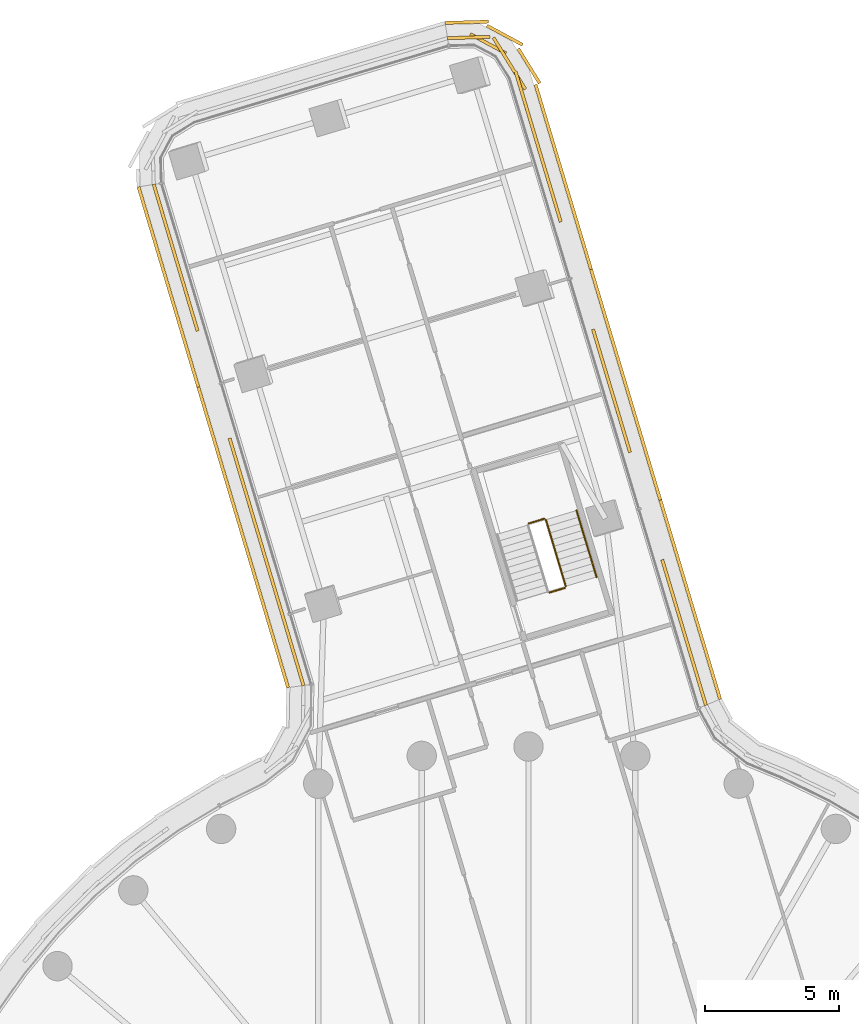
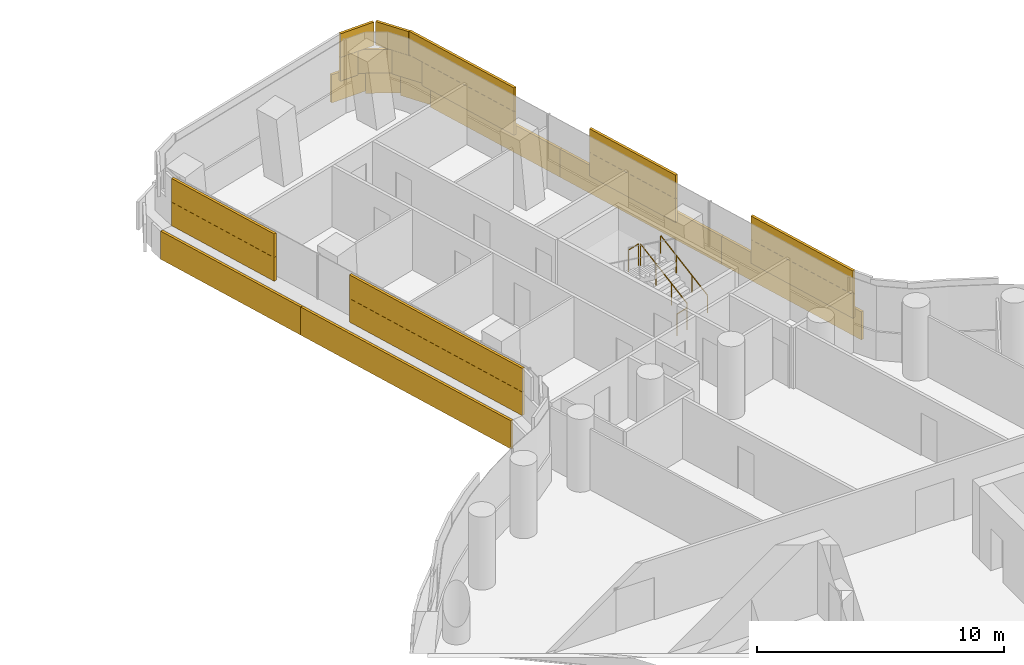
# One storey, part 31 of 32: 5 coverings, 4 railings.
"""IFC4 building model written with IfcOpenShell, lengths in metres."""

from ifc_helpers import new_model, si_unit, direction, frame, origin, origin_2d, place, context, subcontext, project, spatial, rectangle, circle, extrude, material, layer, layer_set, type_object, element, save


model = new_model("IFC4")

# Units and contexts
model_context = context("Model", 3, precision=1e-05, world=origin(), true_north=direction((0.0, 1.0)))
body_context = subcontext(model_context, "Body", "Model", "MODEL_VIEW")
ifc_project = project(units=[si_unit("LENGTHUNIT", "METRE"), si_unit("AREAUNIT", "SQUARE_METRE"), si_unit("VOLUMEUNIT", "CUBIC_METRE"), si_unit("PLANEANGLEUNIT", "RADIAN"), si_unit("MASSUNIT", "GRAM", prefix="KILO")], contexts=[model_context])

# Site, building, storey
site_placement = place(None, origin())
site = spatial("IfcSite", under=ifc_project, at=site_placement, CompositionType="ELEMENT")
building_placement = place(site_placement, origin())
building = spatial("IfcBuilding", under=site, at=building_placement, Name="Tamarind Cross Interchange Tower", CompositionType="ELEMENT")
storey_placement = place(building_placement, frame((0.0, 0.0, 94.75)))
storey = spatial("IfcBuildingStorey", under=building, at=storey_placement, Name="L22", CompositionType="ELEMENT", Elevation=94.75)

# Railings
ifc_material_1 = material(Name="Stair guard")
railing_type_1 = type_object("IfcRailingType", Name="Stair guard", PredefinedType="GUARDRAIL", material=ifc_material_1)
railing_1_placement = place(storey_placement, frame((1.396240234375, 28.997314453125, 0.17041015625)))
element("IfcRailing", 1, at=railing_1_placement, inside=storey, type_object=railing_type_1, Name="L22 ST4 stair guard 1", PredefinedType="GUARDRAIL", context=body_context, shape_type="SweptSolid", body=[
    extrude(circle(Radius=0.02392578125, at=origin_2d()), frame((0.0, 0.0, 1.076171875), z_axis=(-0.240525621842, 0.800966811225, 0.5482696349), x_axis=(-0.957748720779, -0.287606307034, 0.0)), (0.0, 0.0, 1.0), 3.109130859375),
    extrude(circle(Radius=0.02099609375, at=origin_2d()), origin(), (0.0, 0.0, 1.0), 1.052001953125),
    extrude(circle(Radius=0.02099609375, at=origin_2d()), frame((-0.249267578125, 0.830078125, 0.568115234375)), (0.0, 0.0, 1.0), 1.052001953125),
    extrude(circle(Radius=0.02099609375, at=origin_2d()), frame((-0.49853515625, 1.66015625, 1.136474609375)), (0.0, 0.0, 1.0), 1.052001953125),
    extrude(circle(Radius=0.02099609375, at=origin_2d()), frame((-0.747802734375, 2.490234375, 1.70458984375)), (0.0, 0.0, 1.0), 1.052001953125),
])
for number, where, name in (
    (2, (0.586181640625, 31.52099609375, 1.875), "L22 ST4 stair guard 2"),
    (3, (1.36279296875, 28.93505859375, 0.0), "L22 ST4 stair guard 4"),
):
    element("IfcRailing", number, at=place(storey_placement, frame(where)), inside=storey, type_object=railing_type_1, Name=name, PredefinedType="GUARDRAIL", context=body_context, shape_type="SweptSolid", body=[
        extrude(circle(Radius=0.02392578125, at=origin_2d()), frame((0.0, 0.0, 1.076171875), z_axis=(-0.957736655923, -0.287646480772, 0.0), x_axis=(0.287646480772, -0.957736655923, 0.0)), (0.0, 0.0, 1.0), 0.60009765625),
        extrude(circle(Radius=0.02099609375, at=origin_2d()), origin(), (0.0, 0.0, 1.0), 1.052001953125),
        extrude(circle(Radius=0.02099609375, at=origin_2d()), frame((-0.57470703125, -0.172607421875, 0.0)), (0.0, 0.0, 1.0), 1.052001953125),
    ])
ifc_material_2 = material(Name="Stair handrail")
railing_type_2 = type_object("IfcRailingType", Name="Stair handrail", PredefinedType="HANDRAIL", material=ifc_material_2)
railing_2_placement = place(storey_placement, frame((2.545654296875, 29.342529296875, 0.17041015625)))
element("IfcRailing", 4, at=railing_2_placement, inside=storey, type_object=railing_type_2, Name="L22 ST4 stair handrail 1", PredefinedType="HANDRAIL", context=body_context, shape_type="SweptSolid", body=[
    extrude(circle(Radius=0.02392578125, at=origin_2d()), frame((0.0, 0.0, 0.8759765625), z_axis=(-0.240614736033, 0.800923528983, 0.548293762071), x_axis=(-0.957715080866, -0.287718306478, 0.0)), (0.0, 0.0, 1.0), 3.10888671875),
    extrude(circle(Radius=0.02099609375, at=origin_2d()), origin(), (0.0, 0.0, 1.0), 0.851806640625),
    extrude(circle(Radius=0.02099609375, at=origin_2d()), frame((-0.249267578125, 0.830078125, 0.568115234375)), (0.0, 0.0, 1.0), 0.851806640625),
    extrude(circle(Radius=0.02099609375, at=origin_2d()), frame((-0.498779296875, 1.659912109375, 1.136474609375)), (0.0, 0.0, 1.0), 0.851806640625),
    extrude(circle(Radius=0.02099609375, at=origin_2d()), frame((-0.748046875, 2.489990234375, 1.70458984375)), (0.0, 0.0, 1.0), 0.851806640625),
])

# Coverings
ifc_material_3 = material(Name="Terracotta", Category="masonry")
ifc_layer = layer(ifc_material_3, 0.1201171875)
ifc_layer_set = layer_set([ifc_layer], Name="Terracotta")
covering_type = type_object("IfcCoveringType", Name="Terracotta baguette screen unit", PredefinedType="MOLDING", material=ifc_layer_set)
covering_1_placement = place(storey_placement, origin())
element("IfcCovering", 5, at=covering_1_placement, inside=storey, type_object=covering_type, Name="SCR-L22-01-00", PredefinedType="MOLDING", context=body_context, shape_type="SweptSolid", body=[
    extrude(rectangle(XDim=1.510009765625, YDim=0.1201171875, at=origin_2d()), frame((-13.8046875, 43.3125, 1.404052734375), z_axis=(0.0, 0.0, 1.0), x_axis=(0.286304452373, -0.958138695884, 0.0)), (0.0, 0.0, 1.0), 1.1669921875),
    extrude(rectangle(XDim=1.52001953125, YDim=0.1201171875, at=origin_2d()), frame((-13.375244140625, 41.875244140625, 1.404052734375), z_axis=(0.0, 0.0, 1.0), x_axis=(0.286304452373, -0.958138695884, 0.0)), (0.0, 0.0, 1.0), 1.1669921875),
    extrude(rectangle(XDim=1.52001953125, YDim=0.1201171875, at=origin_2d()), frame((-12.94580078125, 40.43798828125, 1.404052734375), z_axis=(0.0, 0.0, 1.0), x_axis=(0.286304452373, -0.958138695884, 0.0)), (0.0, 0.0, 1.0), 1.1669921875),
    extrude(rectangle(XDim=1.229736328125, YDim=0.1201171875, at=origin_2d()), frame((-12.556640625, 39.135009765625, 1.404052734375), z_axis=(0.0, 0.0, 1.0), x_axis=(0.286304452373, -0.958138695884, 0.0)), (0.0, 0.0, 1.0), 1.1669921875),
    extrude(rectangle(XDim=0.760009765625, YDim=0.1201171875, at=origin_2d()), frame((-13.912109375, 43.671630859375, 2.5791015625), z_axis=(0.0, 0.0, 1.0), x_axis=(0.286304452373, -0.958138695884, 0.0)), (0.0, 0.0, 1.0), 1.1669921875),
    extrude(rectangle(XDim=1.52001953125, YDim=0.1201171875, at=origin_2d()), frame((-13.590087890625, 42.59375, 2.5791015625), z_axis=(0.0, 0.0, 1.0), x_axis=(0.286304452373, -0.958138695884, 0.0)), (0.0, 0.0, 1.0), 1.1669921875),
    extrude(rectangle(XDim=1.52001953125, YDim=0.1201171875, at=origin_2d()), frame((-13.16064453125, 41.15673828125, 2.5791015625), z_axis=(0.0, 0.0, 1.0), x_axis=(0.286304452373, -0.958138695884, 0.0)), (0.0, 0.0, 1.0), 1.1669921875),
    extrude(rectangle(XDim=1.52001953125, YDim=0.1201171875, at=origin_2d()), frame((-12.731201171875, 39.719482421875, 2.5791015625), z_axis=(0.0, 0.0, 1.0), x_axis=(0.286304452373, -0.958138695884, 0.0)), (0.0, 0.0, 1.0), 1.1669921875),
    extrude(rectangle(XDim=0.479736328125, YDim=0.1201171875, at=origin_2d()), frame((-12.44921875, 38.775634765625, 2.5791015625), z_axis=(0.0, 0.0, 1.0), x_axis=(0.286304452373, -0.958138695884, 0.0)), (0.0, 0.0, 1.0), 1.1669921875),
    extrude(rectangle(XDim=1.510009765625, YDim=0.1201171875, at=origin_2d()), frame((-14.374755859375, 43.21533203125, 0.00390625), z_axis=(0.0, 0.0, 1.0), x_axis=(0.286304452373, -0.958138695884, 0.0)), (0.0, 0.0, 1.0), 1.39208984375),
    extrude(rectangle(XDim=1.52001953125, YDim=0.1201171875, at=origin_2d()), frame((-13.94677734375, 41.782958984375, 0.00390625), z_axis=(0.0, 0.0, 1.0), x_axis=(0.286304452373, -0.958138695884, 0.0)), (0.0, 0.0, 1.0), 1.39208984375),
    extrude(rectangle(XDim=1.52001953125, YDim=0.1201171875, at=origin_2d()), frame((-13.517333984375, 40.345703125, 0.00390625), z_axis=(0.0, 0.0, 1.0), x_axis=(0.286304452373, -0.958138695884, 0.0)), (0.0, 0.0, 1.0), 1.39208984375),
    extrude(rectangle(XDim=1.52001953125, YDim=0.1201171875, at=origin_2d()), frame((-13.087890625, 38.908447265625, 0.00390625), z_axis=(0.0, 0.0, 1.0), x_axis=(0.286304452373, -0.958138695884, 0.0)), (0.0, 0.0, 1.0), 1.39208984375),
    extrude(rectangle(XDim=1.52001953125, YDim=0.1201171875, at=origin_2d()), frame((-12.658447265625, 37.47119140625, 0.00390625), z_axis=(0.0, 0.0, 1.0), x_axis=(0.286304452373, -0.958138695884, 0.0)), (0.0, 0.0, 1.0), 1.39208984375),
    extrude(rectangle(XDim=0.32470703125, YDim=0.1201171875, at=origin_2d()), frame((-12.400146484375, 36.606689453125, 0.00390625), z_axis=(0.0, 0.0, 1.0), x_axis=(0.286304452373, -0.958138695884, 0.0)), (0.0, 0.0, 1.0), 1.39208984375),
])
covering_2_placement = place(storey_placement, origin())
element("IfcCovering", 6, at=covering_2_placement, inside=storey, type_object=covering_type, Name="SCR-L22-01-01", PredefinedType="MOLDING", context=body_context, shape_type="SweptSolid", body=[
    extrude(rectangle(XDim=0.59033203125, YDim=0.1201171875, at=origin_2d()), frame((-11.096435546875, 34.24853515625, 1.404052734375), z_axis=(0.0, 0.0, 1.0), x_axis=(0.286304452373, -0.958138695884, 0.0)), (0.0, 0.0, 1.0), 1.1669921875),
    extrude(rectangle(XDim=1.52001953125, YDim=0.1201171875, at=origin_2d()), frame((-10.798583984375, 33.251953125, 1.404052734375), z_axis=(0.0, 0.0, 1.0), x_axis=(0.286304452373, -0.958138695884, 0.0)), (0.0, 0.0, 1.0), 1.1669921875),
    extrude(rectangle(XDim=1.52001953125, YDim=0.1201171875, at=origin_2d()), frame((-10.369140625, 31.814697265625, 1.404052734375), z_axis=(0.0, 0.0, 1.0), x_axis=(0.286304452373, -0.958138695884, 0.0)), (0.0, 0.0, 1.0), 1.1669921875),
    extrude(rectangle(XDim=1.52001953125, YDim=0.1201171875, at=origin_2d()), frame((-9.939697265625, 30.37744140625, 1.404052734375), z_axis=(0.0, 0.0, 1.0), x_axis=(0.286304452373, -0.958138695884, 0.0)), (0.0, 0.0, 1.0), 1.1669921875),
    extrude(rectangle(XDim=1.52001953125, YDim=0.1201171875, at=origin_2d()), frame((-9.51025390625, 28.9404296875, 1.404052734375), z_axis=(0.0, 0.0, 1.0), x_axis=(0.286304452373, -0.958138695884, 0.0)), (0.0, 0.0, 1.0), 1.1669921875),
    extrude(rectangle(XDim=1.52001953125, YDim=0.1201171875, at=origin_2d()), frame((-9.080810546875, 27.503173828125, 1.404052734375), z_axis=(0.0, 0.0, 1.0), x_axis=(0.286304452373, -0.958138695884, 0.0)), (0.0, 0.0, 1.0), 1.1669921875),
    extrude(rectangle(XDim=1.52001953125, YDim=0.1201171875, at=origin_2d()), frame((-8.6513671875, 26.06591796875, 1.404052734375), z_axis=(0.0, 0.0, 1.0), x_axis=(0.286304452373, -0.958138695884, 0.0)), (0.0, 0.0, 1.0), 1.1669921875),
    extrude(rectangle(XDim=0.0751953125, YDim=0.1201171875, at=origin_2d()), frame((-8.42724609375, 25.316162109375, 1.404052734375), z_axis=(0.0, 0.0, 1.0), x_axis=(0.286304452373, -0.958138695884, 0.0)), (0.0, 0.0, 1.0), 1.1669921875),
    extrude(rectangle(XDim=1.34033203125, YDim=0.1201171875, at=origin_2d()), frame((-10.989013671875, 33.88916015625, 2.5791015625), z_axis=(0.0, 0.0, 1.0), x_axis=(0.286304452373, -0.958138695884, 0.0)), (0.0, 0.0, 1.0), 1.1669921875),
    extrude(rectangle(XDim=1.52001953125, YDim=0.1201171875, at=origin_2d()), frame((-10.583740234375, 32.533447265625, 2.5791015625), z_axis=(0.0, 0.0, 1.0), x_axis=(0.286304452373, -0.958138695884, 0.0)), (0.0, 0.0, 1.0), 1.1669921875),
    extrude(rectangle(XDim=1.52001953125, YDim=0.1201171875, at=origin_2d()), frame((-10.154296875, 31.09619140625, 2.5791015625), z_axis=(0.0, 0.0, 1.0), x_axis=(0.286304452373, -0.958138695884, 0.0)), (0.0, 0.0, 1.0), 1.1669921875),
    extrude(rectangle(XDim=1.52001953125, YDim=0.1201171875, at=origin_2d()), frame((-9.724853515625, 29.658935546875, 2.5791015625), z_axis=(0.0, 0.0, 1.0), x_axis=(0.286304452373, -0.958138695884, 0.0)), (0.0, 0.0, 1.0), 1.1669921875),
    extrude(rectangle(XDim=1.52001953125, YDim=0.1201171875, at=origin_2d()), frame((-9.29541015625, 28.2216796875, 2.5791015625), z_axis=(0.0, 0.0, 1.0), x_axis=(0.286304452373, -0.958138695884, 0.0)), (0.0, 0.0, 1.0), 1.1669921875),
    extrude(rectangle(XDim=1.52001953125, YDim=0.1201171875, at=origin_2d()), frame((-8.865966796875, 26.784423828125, 2.5791015625), z_axis=(0.0, 0.0, 1.0), x_axis=(0.286304452373, -0.958138695884, 0.0)), (0.0, 0.0, 1.0), 1.1669921875),
    extrude(rectangle(XDim=0.8251953125, YDim=0.1201171875, at=origin_2d()), frame((-8.53466796875, 25.675537109375, 2.5791015625), z_axis=(0.0, 0.0, 1.0), x_axis=(0.286304452373, -0.958138695884, 0.0)), (0.0, 0.0, 1.0), 1.1669921875),
    extrude(rectangle(XDim=1.1953125, YDim=0.1201171875, at=origin_2d()), frame((-12.1826171875, 35.878662109375, 0.00390625), z_axis=(0.0, 0.0, 1.0), x_axis=(0.286304452373, -0.958138695884, 0.0)), (0.0, 0.0, 1.0), 1.39208984375),
    extrude(rectangle(XDim=1.52001953125, YDim=0.1201171875, at=origin_2d()), frame((-11.799560546875, 34.596923828125, 0.00390625), z_axis=(0.0, 0.0, 1.0), x_axis=(0.286304452373, -0.958138695884, 0.0)), (0.0, 0.0, 1.0), 1.39208984375),
    extrude(rectangle(XDim=1.52001953125, YDim=0.1201171875, at=origin_2d()), frame((-11.3701171875, 33.15966796875, 0.00390625), z_axis=(0.0, 0.0, 1.0), x_axis=(0.286304452373, -0.958138695884, 0.0)), (0.0, 0.0, 1.0), 1.39208984375),
    extrude(rectangle(XDim=1.52001953125, YDim=0.1201171875, at=origin_2d()), frame((-10.940673828125, 31.722412109375, 0.00390625), z_axis=(0.0, 0.0, 1.0), x_axis=(0.286304452373, -0.958138695884, 0.0)), (0.0, 0.0, 1.0), 1.39208984375),
    extrude(rectangle(XDim=1.52001953125, YDim=0.1201171875, at=origin_2d()), frame((-10.51123046875, 30.28515625, 0.00390625), z_axis=(0.0, 0.0, 1.0), x_axis=(0.286304452373, -0.958138695884, 0.0)), (0.0, 0.0, 1.0), 1.39208984375),
    extrude(rectangle(XDim=1.52001953125, YDim=0.1201171875, at=origin_2d()), frame((-10.081787109375, 28.84814453125, 0.00390625), z_axis=(0.0, 0.0, 1.0), x_axis=(0.286304452373, -0.958138695884, 0.0)), (0.0, 0.0, 1.0), 1.39208984375),
    extrude(rectangle(XDim=1.52001953125, YDim=0.1201171875, at=origin_2d()), frame((-9.65234375, 27.410888671875, 0.00390625), z_axis=(0.0, 0.0, 1.0), x_axis=(0.286304452373, -0.958138695884, 0.0)), (0.0, 0.0, 1.0), 1.39208984375),
    extrude(rectangle(XDim=1.52001953125, YDim=0.1201171875, at=origin_2d()), frame((-9.222900390625, 25.9736328125, 0.00390625), z_axis=(0.0, 0.0, 1.0), x_axis=(0.286304452373, -0.958138695884, 0.0)), (0.0, 0.0, 1.0), 1.39208984375),
    extrude(rectangle(XDim=0.06201171875, YDim=0.1201171875, at=origin_2d()), frame((-9.001953125, 25.23486328125, 0.00390625), z_axis=(0.0, 0.0, 1.0), x_axis=(0.286304452373, -0.958138695884, 0.0)), (0.0, 0.0, 1.0), 1.39208984375),
])
covering_3_placement = place(storey_placement, origin())
element("IfcCovering", 7, at=covering_3_placement, inside=storey, type_object=covering_type, Name="SCR-L22-15-00", PredefinedType="MOLDING", context=body_context, shape_type="SweptSolid", body=[
    extrude(rectangle(XDim=1.510009765625, YDim=0.1201171875, at=origin_2d()), frame((6.421142578125, 25.2685546875, 1.404052734375), z_axis=(0.0, 0.0, 1.0), x_axis=(-0.287641355717, 0.957738195167, 0.0)), (0.0, 0.0, 1.0), 1.1669921875),
    extrude(rectangle(XDim=1.52001953125, YDim=0.1201171875, at=origin_2d()), frame((5.98974609375, 26.705078125, 1.404052734375), z_axis=(0.0, 0.0, 1.0), x_axis=(-0.287641355717, 0.957738195167, 0.0)), (0.0, 0.0, 1.0), 1.1669921875),
    extrude(rectangle(XDim=1.52001953125, YDim=0.1201171875, at=origin_2d()), frame((5.558349609375, 28.141845703125, 1.404052734375), z_axis=(0.0, 0.0, 1.0), x_axis=(-0.287641355717, 0.957738195167, 0.0)), (0.0, 0.0, 1.0), 1.1669921875),
    extrude(rectangle(XDim=1.186767578125, YDim=0.1201171875, at=origin_2d()), frame((5.17333984375, 29.423583984375, 1.404052734375), z_axis=(0.0, 0.0, 1.0), x_axis=(-0.287641355717, 0.957738195167, 0.0)), (0.0, 0.0, 1.0), 1.1669921875),
    extrude(rectangle(XDim=0.760009765625, YDim=0.1201171875, at=origin_2d()), frame((6.529052734375, 24.909423828125, 2.5791015625), z_axis=(0.0, 0.0, 1.0), x_axis=(-0.287641355717, 0.957738195167, 0.0)), (0.0, 0.0, 1.0), 1.1669921875),
    extrude(rectangle(XDim=1.52001953125, YDim=0.1201171875, at=origin_2d()), frame((6.20556640625, 25.98681640625, 2.5791015625), z_axis=(0.0, 0.0, 1.0), x_axis=(-0.287641355717, 0.957738195167, 0.0)), (0.0, 0.0, 1.0), 1.1669921875),
    extrude(rectangle(XDim=1.52001953125, YDim=0.1201171875, at=origin_2d()), frame((5.77392578125, 27.42333984375, 2.5791015625), z_axis=(0.0, 0.0, 1.0), x_axis=(-0.287641355717, 0.957738195167, 0.0)), (0.0, 0.0, 1.0), 1.1669921875),
    extrude(rectangle(XDim=1.52001953125, YDim=0.1201171875, at=origin_2d()), frame((5.342529296875, 28.860107421875, 2.5791015625), z_axis=(0.0, 0.0, 1.0), x_axis=(-0.287641355717, 0.957738195167, 0.0)), (0.0, 0.0, 1.0), 1.1669921875),
    extrude(rectangle(XDim=0.436767578125, YDim=0.1201171875, at=origin_2d()), frame((5.0654296875, 29.78271484375, 2.5791015625), z_axis=(0.0, 0.0, 1.0), x_axis=(-0.287641355717, 0.957738195167, 0.0)), (0.0, 0.0, 1.0), 1.1669921875),
    extrude(rectangle(XDim=1.510009765625, YDim=0.1201171875, at=origin_2d()), frame((6.952392578125, 25.495361328125, 0.00390625), z_axis=(0.0, 0.0, 1.0), x_axis=(-0.287641355717, 0.957738195167, 0.0)), (0.0, 0.0, 1.0), 1.39208984375),
    extrude(rectangle(XDim=1.52001953125, YDim=0.1201171875, at=origin_2d()), frame((6.5224609375, 26.927001953125, 0.00390625), z_axis=(0.0, 0.0, 1.0), x_axis=(-0.287641355717, 0.957738195167, 0.0)), (0.0, 0.0, 1.0), 1.39208984375),
    extrude(rectangle(XDim=1.52001953125, YDim=0.1201171875, at=origin_2d()), frame((6.091064453125, 28.36376953125, 0.00390625), z_axis=(0.0, 0.0, 1.0), x_axis=(-0.287641355717, 0.957738195167, 0.0)), (0.0, 0.0, 1.0), 1.39208984375),
    extrude(rectangle(XDim=1.52001953125, YDim=0.1201171875, at=origin_2d()), frame((5.659423828125, 29.80029296875, 0.00390625), z_axis=(0.0, 0.0, 1.0), x_axis=(-0.287641355717, 0.957738195167, 0.0)), (0.0, 0.0, 1.0), 1.39208984375),
    extrude(rectangle(XDim=1.52001953125, YDim=0.1201171875, at=origin_2d()), frame((5.22802734375, 31.23681640625, 0.00390625), z_axis=(0.0, 0.0, 1.0), x_axis=(-0.287641355717, 0.957738195167, 0.0)), (0.0, 0.0, 1.0), 1.39208984375),
    extrude(rectangle(XDim=0.291748046875, YDim=0.1201171875, at=origin_2d()), frame((4.97314453125, 32.08544921875, 0.00390625), z_axis=(0.0, 0.0, 1.0), x_axis=(-0.287641355717, 0.957738195167, 0.0)), (0.0, 0.0, 1.0), 1.39208984375),
])
covering_4_placement = place(storey_placement, origin())
element("IfcCovering", 8, at=covering_4_placement, inside=storey, type_object=covering_type, Name="SCR-L22-15-01", PredefinedType="MOLDING", context=body_context, shape_type="SweptSolid", body=[
    extrude(rectangle(XDim=0.63330078125, YDim=0.1201171875, at=origin_2d()), frame((3.706298828125, 34.30810546875, 1.404052734375), z_axis=(0.0, 0.0, 1.0), x_axis=(-0.287641355717, 0.957738195167, 0.0)), (0.0, 0.0, 1.0), 1.1669921875),
    extrude(rectangle(XDim=1.52001953125, YDim=0.1201171875, at=origin_2d()), frame((3.40087890625, 35.32470703125, 1.404052734375), z_axis=(0.0, 0.0, 1.0), x_axis=(-0.287641355717, 0.957738195167, 0.0)), (0.0, 0.0, 1.0), 1.1669921875),
    extrude(rectangle(XDim=1.52001953125, YDim=0.1201171875, at=origin_2d()), frame((2.969482421875, 36.761474609375, 1.404052734375), z_axis=(0.0, 0.0, 1.0), x_axis=(-0.287641355717, 0.957738195167, 0.0)), (0.0, 0.0, 1.0), 1.1669921875),
    extrude(rectangle(XDim=1.187744140625, YDim=0.1201171875, at=origin_2d()), frame((2.58447265625, 38.043701171875, 1.404052734375), z_axis=(0.0, 0.0, 1.0), x_axis=(-0.287641355717, 0.957738195167, 0.0)), (0.0, 0.0, 1.0), 1.1669921875),
    extrude(rectangle(XDim=1.38330078125, YDim=0.1201171875, at=origin_2d()), frame((3.598388671875, 34.667236328125, 2.5791015625), z_axis=(0.0, 0.0, 1.0), x_axis=(-0.287641355717, 0.957738195167, 0.0)), (0.0, 0.0, 1.0), 1.1669921875),
    extrude(rectangle(XDim=1.52001953125, YDim=0.1201171875, at=origin_2d()), frame((3.185302734375, 36.04296875, 2.5791015625), z_axis=(0.0, 0.0, 1.0), x_axis=(-0.287641355717, 0.957738195167, 0.0)), (0.0, 0.0, 1.0), 1.1669921875),
    extrude(rectangle(XDim=1.52001953125, YDim=0.1201171875, at=origin_2d()), frame((2.753662109375, 37.479736328125, 2.5791015625), z_axis=(0.0, 0.0, 1.0), x_axis=(-0.287641355717, 0.957738195167, 0.0)), (0.0, 0.0, 1.0), 1.1669921875),
    extrude(rectangle(XDim=0.437744140625, YDim=0.1201171875, at=origin_2d()), frame((2.4765625, 38.40283203125, 2.5791015625), z_axis=(0.0, 0.0, 1.0), x_axis=(-0.287641355717, 0.957738195167, 0.0)), (0.0, 0.0, 1.0), 1.1669921875),
    extrude(rectangle(XDim=1.228271484375, YDim=0.1201171875, at=origin_2d()), frame((4.754638671875, 32.813232421875, 0.00390625), z_axis=(0.0, 0.0, 1.0), x_axis=(-0.287641355717, 0.957738195167, 0.0)), (0.0, 0.0, 1.0), 1.39208984375),
    extrude(rectangle(XDim=1.52001953125, YDim=0.1201171875, at=origin_2d()), frame((4.364990234375, 34.110107421875, 0.00390625), z_axis=(0.0, 0.0, 1.0), x_axis=(-0.287641355717, 0.957738195167, 0.0)), (0.0, 0.0, 1.0), 1.39208984375),
    extrude(rectangle(XDim=1.52001953125, YDim=0.1201171875, at=origin_2d()), frame((3.93359375, 35.546630859375, 0.00390625), z_axis=(0.0, 0.0, 1.0), x_axis=(-0.287641355717, 0.957738195167, 0.0)), (0.0, 0.0, 1.0), 1.39208984375),
    extrude(rectangle(XDim=1.52001953125, YDim=0.1201171875, at=origin_2d()), frame((3.502197265625, 36.9833984375, 0.00390625), z_axis=(0.0, 0.0, 1.0), x_axis=(-0.287641355717, 0.957738195167, 0.0)), (0.0, 0.0, 1.0), 1.39208984375),
    extrude(rectangle(XDim=1.52001953125, YDim=0.1201171875, at=origin_2d()), frame((3.07080078125, 38.419921875, 0.00390625), z_axis=(0.0, 0.0, 1.0), x_axis=(-0.287641355717, 0.957738195167, 0.0)), (0.0, 0.0, 1.0), 1.39208984375),
    extrude(rectangle(XDim=1.52001953125, YDim=0.1201171875, at=origin_2d()), frame((2.63916015625, 39.8564453125, 0.00390625), z_axis=(0.0, 0.0, 1.0), x_axis=(-0.287641355717, 0.957738195167, 0.0)), (0.0, 0.0, 1.0), 1.39208984375),
    extrude(rectangle(XDim=0.298828125, YDim=0.1201171875, at=origin_2d()), frame((2.383544921875, 40.708251953125, 0.00390625), z_axis=(0.0, 0.0, 1.0), x_axis=(-0.287641355717, 0.957738195167, 0.0)), (0.0, 0.0, 1.0), 1.39208984375),
])
covering_5_placement = place(storey_placement, origin())
element("IfcCovering", 9, at=covering_5_placement, inside=storey, type_object=covering_type, Name="SCR-L22-15-02", PredefinedType="MOLDING", context=body_context, shape_type="SweptSolid", body=[
    extrude(rectangle(XDim=0.63232421875, YDim=0.1201171875, at=origin_2d()), frame((1.117431640625, 42.92822265625, 1.404052734375), z_axis=(0.0, 0.0, 1.0), x_axis=(-0.287641355717, 0.957738195167, 0.0)), (0.0, 0.0, 1.0), 1.1669921875),
    extrude(rectangle(XDim=1.52001953125, YDim=0.1201171875, at=origin_2d()), frame((0.812255859375, 43.9443359375, 1.404052734375), z_axis=(0.0, 0.0, 1.0), x_axis=(-0.287641355717, 0.957738195167, 0.0)), (0.0, 0.0, 1.0), 1.1669921875),
    extrude(rectangle(XDim=1.52001953125, YDim=0.1201171875, at=origin_2d()), frame((0.380859375, 45.381103515625, 1.404052734375), z_axis=(0.0, 0.0, 1.0), x_axis=(-0.287641355717, 0.957738195167, 0.0)), (0.0, 0.0, 1.0), 1.1669921875),
    extrude(rectangle(XDim=1.52001953125, YDim=0.1201171875, at=origin_2d()), frame((-0.05078125, 46.817626953125, 1.404052734375), z_axis=(0.0, 0.0, 1.0), x_axis=(-0.287641355717, 0.957738195167, 0.0)), (0.0, 0.0, 1.0), 1.1669921875),
    extrude(rectangle(XDim=1.52001953125, YDim=0.1201171875, at=origin_2d()), frame((-0.51806640625, 48.238037109375, 1.404052734375), z_axis=(0.0, 0.0, 1.0), x_axis=(-0.525721099327, 0.850656996517, 0.0)), (0.0, 0.0, 1.0), 1.1669921875),
    extrude(rectangle(XDim=1.52001953125, YDim=0.1201171875, at=origin_2d()), frame((-1.512451171875, 49.295654296875, 1.404052734375), z_axis=(0.0, 0.0, 1.0), x_axis=(-0.880616325581, 0.473830019227, 0.0)), (0.0, 0.0, 1.0), 1.1669921875),
    extrude(rectangle(XDim=0.835205078125, YDim=0.1201171875, at=origin_2d()), frame((-2.614501953125, 49.5146484375, 1.404052734375), z_axis=(0.0, 0.0, 1.0), x_axis=(-0.999551118554, -0.029959329064, 0.0)), (0.0, 0.0, 1.0), 1.1669921875),
    extrude(rectangle(XDim=1.38232421875, YDim=0.1201171875, at=origin_2d()), frame((1.009521484375, 43.287353515625, 2.5791015625), z_axis=(0.0, 0.0, 1.0), x_axis=(-0.287641355717, 0.957738195167, 0.0)), (0.0, 0.0, 1.0), 1.1669921875),
    extrude(rectangle(XDim=1.52001953125, YDim=0.1201171875, at=origin_2d()), frame((0.596435546875, 44.662841796875, 2.5791015625), z_axis=(0.0, 0.0, 1.0), x_axis=(-0.287641355717, 0.957738195167, 0.0)), (0.0, 0.0, 1.0), 1.1669921875),
    extrude(rectangle(XDim=1.52001953125, YDim=0.1201171875, at=origin_2d()), frame((0.1650390625, 46.099365234375, 2.5791015625), z_axis=(0.0, 0.0, 1.0), x_axis=(-0.287641355717, 0.957738195167, 0.0)), (0.0, 0.0, 1.0), 1.1669921875),
    extrude(rectangle(XDim=1.52001953125, YDim=0.1201171875, at=origin_2d()), frame((-0.266357421875, 47.535888671875, 2.5791015625), z_axis=(0.0, 0.0, 1.0), x_axis=(-0.287641355717, 0.957738195167, 0.0)), (0.0, 0.0, 1.0), 1.1669921875),
    extrude(rectangle(XDim=1.52001953125, YDim=0.1201171875, at=origin_2d()), frame((-0.912353515625, 48.8759765625, 2.5791015625), z_axis=(0.0, 0.0, 1.0), x_axis=(-0.525721099327, 0.850656996517, 0.0)), (0.0, 0.0, 1.0), 1.1669921875),
    extrude(rectangle(XDim=1.52001953125, YDim=0.1201171875, at=origin_2d()), frame((-2.2021484375, 49.527099609375, 2.5791015625), z_axis=(0.0, 0.0, 1.0), x_axis=(-0.999551118554, -0.029959329064, 0.0)), (0.0, 0.0, 1.0), 1.1669921875),
    extrude(rectangle(XDim=0.085205078125, YDim=0.1201171875, at=origin_2d()), frame((-2.9892578125, 49.50341796875, 2.5791015625), z_axis=(0.0, 0.0, 1.0), x_axis=(-0.999551118554, -0.029959329064, 0.0)), (0.0, 0.0, 1.0), 1.1669921875),
    extrude(rectangle(XDim=1.22119140625, YDim=0.1201171875, at=origin_2d()), frame((2.164794921875, 41.436279296875, 0.00390625), z_axis=(0.0, 0.0, 1.0), x_axis=(-0.287641355717, 0.957738195167, 0.0)), (0.0, 0.0, 1.0), 1.39208984375),
    extrude(rectangle(XDim=1.52001953125, YDim=0.1201171875, at=origin_2d()), frame((1.7763671875, 42.729736328125, 0.00390625), z_axis=(0.0, 0.0, 1.0), x_axis=(-0.287641355717, 0.957738195167, 0.0)), (0.0, 0.0, 1.0), 1.39208984375),
    extrude(rectangle(XDim=1.52001953125, YDim=0.1201171875, at=origin_2d()), frame((1.344970703125, 44.166259765625, 0.00390625), z_axis=(0.0, 0.0, 1.0), x_axis=(-0.287641355717, 0.957738195167, 0.0)), (0.0, 0.0, 1.0), 1.39208984375),
    extrude(rectangle(XDim=1.52001953125, YDim=0.1201171875, at=origin_2d()), frame((0.913330078125, 45.60302734375, 0.00390625), z_axis=(0.0, 0.0, 1.0), x_axis=(-0.287641355717, 0.957738195167, 0.0)), (0.0, 0.0, 1.0), 1.39208984375),
    extrude(rectangle(XDim=1.52001953125, YDim=0.1201171875, at=origin_2d()), frame((0.48193359375, 47.03955078125, 0.00390625), z_axis=(0.0, 0.0, 1.0), x_axis=(-0.287641355717, 0.957738195167, 0.0)), (0.0, 0.0, 1.0), 1.39208984375),
    extrude(rectangle(XDim=1.52001953125, YDim=0.1201171875, at=origin_2d()), frame((0.018310546875, 48.461669921875, 0.00390625), z_axis=(0.0, 0.0, 1.0), x_axis=(-0.525721099327, 0.850656996517, 0.0)), (0.0, 0.0, 1.0), 1.39208984375),
    extrude(rectangle(XDim=1.52001953125, YDim=0.1201171875, at=origin_2d()), frame((-0.888671875, 49.61181640625, 0.00390625), z_axis=(0.0, 0.0, 1.0), x_axis=(-0.880616325581, 0.473830019227, 0.0)), (0.0, 0.0, 1.0), 1.39208984375),
    extrude(rectangle(XDim=1.52001953125, YDim=0.1201171875, at=origin_2d()), frame((-2.26220703125, 50.099365234375, 0.00390625), z_axis=(0.0, 0.0, 1.0), x_axis=(-0.999551118554, -0.029959329064, 0.0)), (0.0, 0.0, 1.0), 1.39208984375),
    extrude(rectangle(XDim=0.11767578125, YDim=0.1201171875, at=origin_2d()), frame((-3.060791015625, 50.075439453125, 0.00390625), z_axis=(0.0, 0.0, 1.0), x_axis=(-0.999551118554, -0.029959329064, 0.0)), (0.0, 0.0, 1.0), 1.39208984375),
])

save(model, "model.ifc")
